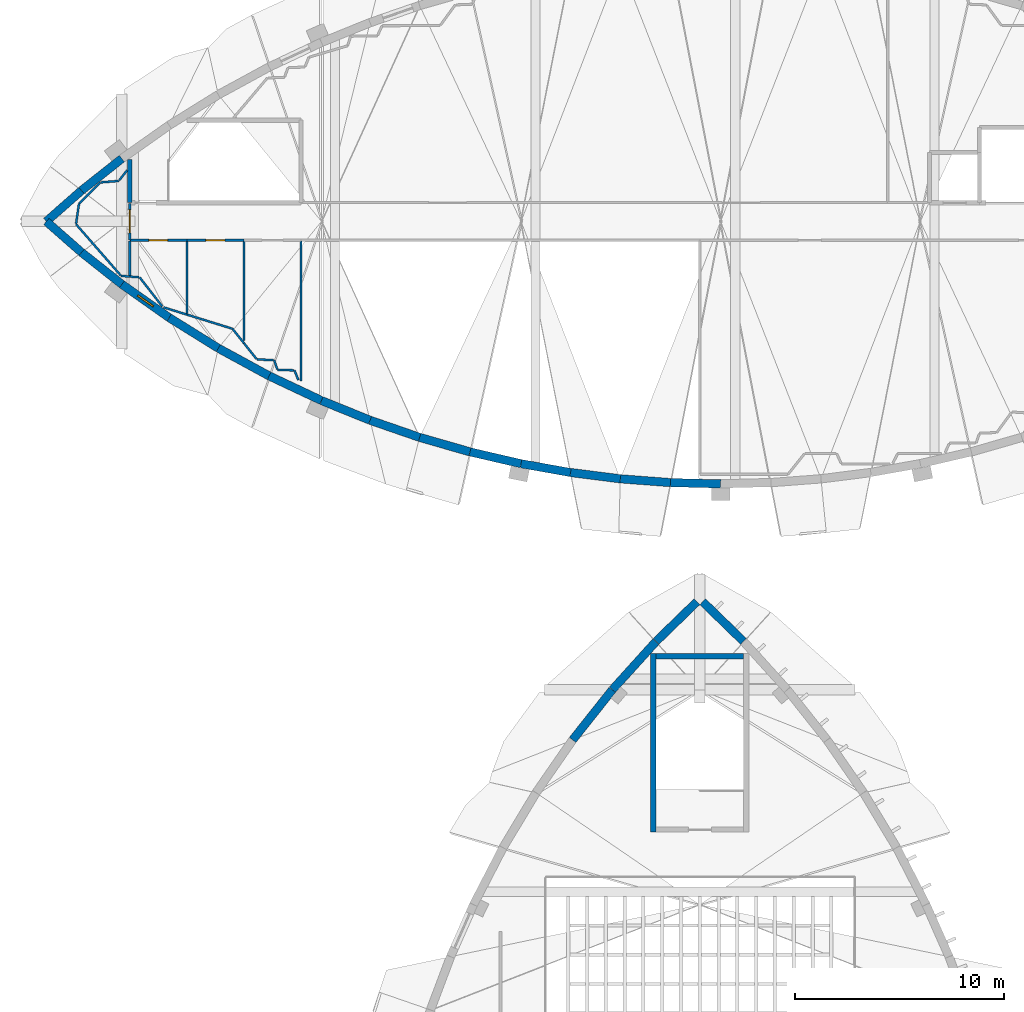
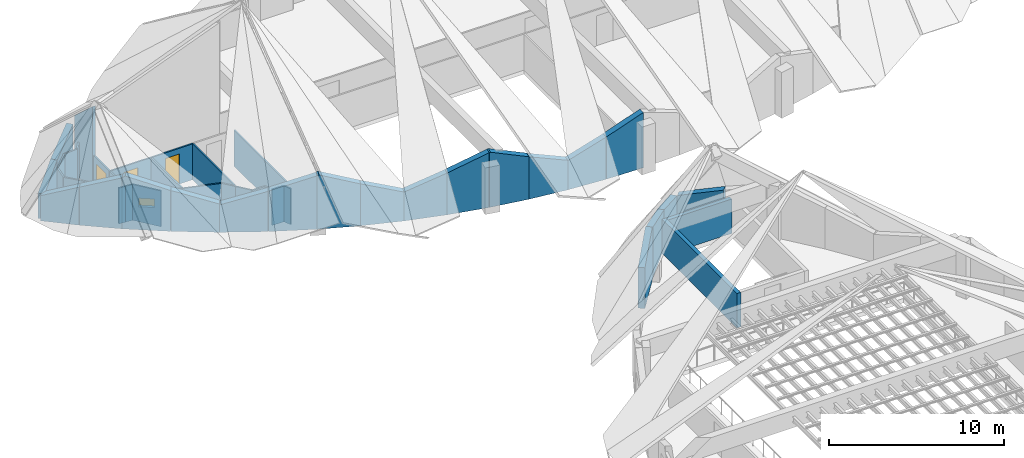
# One storey, part 38 of 56: 46 walls, 3 doors, 1 window, 4 openings.
"""IFC4 building model written with IfcOpenShell, lengths in metres."""

from ifc_helpers import new_model, si_unit, direction, frame, frame_2d, origin, place, context, subcontext, project, spatial, polyline, rectangle, outline, extrude, material, layer, layer_set, type_object, element, fill, save


model = new_model("IFC4")

# Units and contexts
model_context = context("Model", 3, precision=1e-05, world=origin(), true_north=direction((0.0, 1.0)))
body_context = subcontext(model_context, "Body", "Model", "MODEL_VIEW")
ifc_project = project(units=[si_unit("LENGTHUNIT", "METRE"), si_unit("AREAUNIT", "SQUARE_METRE"), si_unit("VOLUMEUNIT", "CUBIC_METRE"), si_unit("PLANEANGLEUNIT", "RADIAN"), si_unit("MASSUNIT", "GRAM", prefix="KILO")], contexts=[model_context])

# Site, building, storey
site_placement = place(None, origin())
site = spatial("IfcSite", under=ifc_project, at=site_placement, CompositionType="ELEMENT")
building_placement = place(site_placement, origin())
building = spatial("IfcBuilding", under=site, at=building_placement, Name="Tide Square Theatres", CompositionType="ELEMENT")
storey_placement = place(building_placement, frame((0.0, 0.0, 10.199951171875)))
storey = spatial("IfcBuildingStorey", under=building, at=storey_placement, Name="L02", CompositionType="ELEMENT", Elevation=10.199951171875)

# Walls
ifc_material_1 = material(Name="Gypsum board on steel studs", Category="steel")
ifc_layer_1 = layer(ifc_material_1, 0.10009765625)
ifc_layer_set_1 = layer_set([ifc_layer_1], Name="Gypsum board on steel studs")
wall_type_1 = type_object("IfcWallType", Name="Partition 100 thick", PredefinedType="PARTITIONING", material=ifc_layer_set_1)
wall_1_placement = place(storey_placement, frame((8.699951171875, 95.16015625, 0.0), z_axis=(0.0, 0.0, 1.0), x_axis=(-0.996882323864, 0.078902676549, 0.0)))
element("IfcWall", 1, at=wall_1_placement, inside=storey, type_object=wall_type_1, Name="Scenery Workshops partition", PredefinedType="PARTITIONING", context=body_context, shape_type="SweptSolid", body=[
    extrude(rectangle(XDim=0.41455078125, YDim=0.10009765625, at=frame_2d((0.207275390625, 0.0))), origin(), (0.0, 0.0, 1.0), 2.5),
])
wall_2_placement = place(storey_placement, frame((8.273681640625, 95.207763671875, 0.0), z_axis=(0.0, 0.0, 1.0), x_axis=(-0.658002077141, 0.753016113027, 0.0)))
element("IfcWall", 2, at=wall_2_placement, inside=storey, type_object=wall_type_1, Name="Scenery Workshops partition", PredefinedType="PARTITIONING", context=body_context, shape_type="SweptSolid", body=[
    extrude(rectangle(XDim=3.268310546875, YDim=0.10009765625, at=frame_2d((1.63427734375, 0.0))), origin(), (0.0, 0.0, 1.0), 2.5),
])
wall_3_placement = place(storey_placement, frame((6.1259765625, 97.688720703125, 0.0), z_axis=(0.0, 0.0, 1.0), x_axis=(0.146448518259, 0.989218293148, 0.0)))
element("IfcWall", 3, at=wall_3_placement, inside=storey, type_object=wall_type_1, Name="Scenery Workshops partition", PredefinedType="PARTITIONING", context=body_context, shape_type="SweptSolid", body=[
    extrude(rectangle(XDim=0.971923828125, YDim=0.10009765625, at=frame_2d((0.48583984375, 0.0))), origin(), (0.0, 0.0, 1.0), 2.5),
])
wall_4_placement = place(storey_placement, frame((6.275390625, 98.6572265625, 0.0), z_axis=(0.0, 0.0, 1.0), x_axis=(0.707106781187, 0.707106781187, 0.0)))
element("IfcWall", 4, at=wall_4_placement, inside=storey, type_object=wall_type_1, Name="Scenery Workshops partition", PredefinedType="PARTITIONING", context=body_context, shape_type="SweptSolid", body=[
    extrude(rectangle(XDim=1.43212890625, YDim=0.10009765625, at=frame_2d((0.716064453125, 0.0))), origin(), (0.0, 0.0, 1.0), 2.5),
])
wall_5_placement = place(storey_placement, frame((7.30810546875, 99.67138671875, 0.0), z_axis=(0.0, 0.0, 1.0), x_axis=(0.996862570919, 0.07915184584, 0.0)))
element("IfcWall", 5, at=wall_5_placement, inside=storey, type_object=wall_type_1, Name="Scenery Workshops partition", PredefinedType="PARTITIONING", context=body_context, shape_type="SweptSolid", body=[
    extrude(rectangle(XDim=0.86669921875, YDim=0.10009765625, at=frame_2d((0.433349609375, 0.0))), origin(), (0.0, 0.0, 1.0), 2.5),
])
wall_6_placement = place(storey_placement, frame((8.190673828125, 99.763671875, 0.0), z_axis=(0.0, 0.0, 1.0), x_axis=(0.61432197666, 0.789055453686, 0.0)))
element("IfcWall", 6, at=wall_6_placement, inside=storey, type_object=wall_type_1, Name="Scenery Workshops partition", PredefinedType="PARTITIONING", context=body_context, shape_type="SweptSolid", body=[
    extrude(rectangle(XDim=0.620361328125, YDim=0.10009765625, at=frame_2d((0.31005859375, 0.0))), origin(), (0.0, 0.0, 1.0), 2.5),
])
wall_7_placement = place(storey_placement, frame((8.699951171875, 95.2001953125, 0.0), z_axis=(0.0, 0.0, 1.0), x_axis=(0.0, 1.0, 0.0)))
element("IfcWall", 7, at=wall_7_placement, inside=storey, type_object=wall_type_1, Name="Scenery Workshops partition", PredefinedType="PARTITIONING", context=body_context, shape_type="SweptSolid", body=[
    extrude(rectangle(XDim=1.669921875, YDim=0.10009765625, at=frame_2d((0.8349609375, 0.0))), origin(), (0.0, 0.0, 1.0), 2.5),
])
wall_8_placement = place(storey_placement, frame((10.255126953125, 93.73193359375, 0.0), z_axis=(0.0, 0.0, 1.0), x_axis=(-0.614371992728, 0.78901651095, 0.0)))
element("IfcWall", 8, at=wall_8_placement, inside=storey, type_object=wall_type_1, Name="Scenery Workshops partition", PredefinedType="PARTITIONING", context=body_context, shape_type="SweptSolid", body=[
    extrude(rectangle(XDim=1.7626953125, YDim=0.10009765625, at=frame_2d((0.88134765625, 0.0))), origin(), (0.0, 0.0, 1.0), 2.5),
])
wall_9_placement = place(storey_placement, frame((9.142333984375, 95.125244140625, 0.0), z_axis=(0.0, 0.0, 1.0), x_axis=(-0.996900420086, 0.078673708649, 0.0)))
element("IfcWall", 9, at=wall_9_placement, inside=storey, type_object=wall_type_1, Name="Scenery Workshops partition", PredefinedType="PARTITIONING", context=body_context, shape_type="SweptSolid", body=[
    extrude(rectangle(XDim=0.44384765625, YDim=0.10009765625, at=frame_2d((0.221923828125, 0.0))), origin(), (0.0, 0.0, 1.0), 2.5),
])

# Wall, opening, door
wall_10_placement = place(storey_placement, frame((11.433349609375, 96.89990234375, 0.0), z_axis=(0.0, 0.0, 1.0), x_axis=(-1.0, 0.0, 0.0)))
wall_10 = element("IfcWall", 10, at=wall_10_placement, inside=storey, type_object=wall_type_1, Name="Scenery Workshops partition", PredefinedType="PARTITIONING", context=body_context, shape_type="SweptSolid", body=[
    extrude(rectangle(XDim=2.7333984375, YDim=0.10009765625, at=frame_2d((1.36669921875, 0.0))), origin(), (0.0, 0.0, 1.0), 2.5),
])
opening_1_placement = place(wall_10_placement, frame((0.916748046875, 0.0, 0.0)))
opening_1 = element("IfcOpeningElement", 11, at=opening_1_placement, cuts=wall_10, Name="Opening W2-01", PredefinedType="OPENING", context=body_context, shape_type="SweptSolid", body=[
    extrude(rectangle(XDim=0.89990234375, YDim=2.10009765625, at=frame_2d((0.449951171875, 1.050048828125))), frame((0.0, 0.06005859375, 0.0), z_axis=(0.0, -1.0, 0.0), x_axis=(1.0, 0.0, 0.0)), (0.0, 0.0, 1.0), 0.1201171875),
])
ifc_material_2 = material(Name="Hardwood timber", Category="wood")
door_type_1 = type_object("IfcDoorType", Name="Door 900 x 2100 single leaf", OperationType="NOTDEFINED", PredefinedType="DOOR", material=ifc_material_2)
door_1_placement = place(opening_1_placement, origin())
door_1 = element("IfcDoor", 12, at=door_1_placement, inside=storey, type_object=door_type_1, Name="Scenery Workshops door W2-01 to Gents WC W", OperationType="SINGLE_SWING_RIGHT", OverallHeight=2.10009765625, OverallWidth=0.89990234375, PredefinedType="DOOR", context=body_context, shape_type="SweptSolid", body=[
    extrude(rectangle(XDim=0.89990234375, YDim=2.10009765625, at=frame_2d((0.449951171875, 1.050048828125))), frame((0.0, 0.02490234375, 0.0), z_axis=(0.0, -1.0, 0.0), x_axis=(1.0, 0.0, 0.0)), (0.0, 0.0, 1.0), 0.050048828125),
])
fill(opening_1, door_1)

wall_11_placement = place(storey_placement, frame((8.699951171875, 96.89990234375, 0.0), z_axis=(0.0, 0.0, 1.0), x_axis=(0.0, 1.0, 0.0)))
wall_11 = element("IfcWall", 13, at=wall_11_placement, inside=storey, type_object=wall_type_1, Name="Scenery Workshops partition", PredefinedType="PARTITIONING", context=body_context, shape_type="SweptSolid", body=[
    extrude(rectangle(XDim=1.77001953125, YDim=0.10009765625, at=frame_2d((0.885009765625, 0.0))), origin(), (0.0, 0.0, 1.0), 2.5),
])
opening_2_placement = place(wall_11_placement, frame((0.35009765625, 0.0, 0.0)))
opening_2 = element("IfcOpeningElement", 14, at=opening_2_placement, cuts=wall_11, Name="Opening W2-07", PredefinedType="OPENING", context=body_context, shape_type="SweptSolid", body=[
    extrude(rectangle(XDim=1.10009765625, YDim=2.10009765625, at=frame_2d((0.550048828125, 1.050048828125))), frame((0.0, 0.06005859375, 0.0), z_axis=(0.0, -1.0, 0.0), x_axis=(1.0, 0.0, 0.0)), (0.0, 0.0, 1.0), 0.1201171875),
])
ifc_material_3 = material(Name="Painted steel", Category="steel")
door_type_2 = type_object("IfcDoorType", Name="Door 1100 x 2100 single leaf", OperationType="NOTDEFINED", PredefinedType="DOOR", material=ifc_material_3)
door_2_placement = place(opening_2_placement, origin())
door_2 = element("IfcDoor", 15, at=door_2_placement, inside=storey, type_object=door_type_2, Name="Scenery Workshops door W2-07 to Plant Room W", OperationType="SINGLE_SWING_RIGHT", OverallHeight=2.10009765625, OverallWidth=1.10009765625, PredefinedType="DOOR", context=body_context, shape_type="SweptSolid", body=[
    extrude(rectangle(XDim=1.10009765625, YDim=2.10009765625, at=frame_2d((0.550048828125, 1.050048828125))), frame((0.0, 0.02490234375, 0.0), z_axis=(0.0, -1.0, 0.0), x_axis=(1.0, 0.0, 0.0)), (0.0, 0.0, 1.0), 0.050048828125),
])
fill(opening_2, door_2)

# Walls
wall_12_placement = place(storey_placement, frame((11.433349609375, 93.33935546875, 0.0), z_axis=(0.0, 0.0, 1.0), x_axis=(-0.954967816351, 0.296709402839, 0.0)))
element("IfcWall", 16, at=wall_12_placement, inside=storey, type_object=wall_type_1, Name="Scenery Workshops partition", PredefinedType="PARTITIONING", context=body_context, shape_type="SweptSolid", body=[
    extrude(rectangle(XDim=1.16357421875, YDim=0.10009765625, at=frame_2d((0.581787109375, 0.0))), origin(), (0.0, 0.0, 1.0), 2.5),
])
wall_13_placement = place(storey_placement, frame((11.433349609375, 96.8701171875, 0.0), z_axis=(0.0, 0.0, 1.0), x_axis=(0.0, -1.0, 0.0)))
element("IfcWall", 17, at=wall_13_placement, inside=storey, type_object=wall_type_1, Name="Scenery Workshops partition", PredefinedType="PARTITIONING", context=body_context, shape_type="SweptSolid", body=[
    extrude(rectangle(XDim=3.480712890625, YDim=0.10009765625, at=frame_2d((1.740234375, 0.0))), origin(), (0.0, 0.0, 1.0), 2.5),
])
wall_14_placement = place(storey_placement, frame((14.166748046875, 91.971435546875, 0.0), z_axis=(0.0, 0.0, 1.0), x_axis=(-0.622427080418, 0.782677794218, 0.0)))
element("IfcWall", 18, at=wall_14_placement, inside=storey, type_object=wall_type_1, Name="Scenery Workshops partition", PredefinedType="PARTITIONING", context=body_context, shape_type="SweptSolid", body=[
    extrude(rectangle(XDim=0.880615234375, YDim=0.10009765625, at=frame_2d((0.4404296875, 0.0))), origin(), (0.0, 0.0, 1.0), 2.5),
])
wall_15_placement = place(storey_placement, frame((13.609130859375, 92.66357421875, 0.0), z_axis=(0.0, 0.0, 1.0), x_axis=(-0.954997167401, 0.296614919139, 0.0)))
element("IfcWall", 19, at=wall_15_placement, inside=storey, type_object=wall_type_1, Name="Scenery Workshops partition", PredefinedType="PARTITIONING", context=body_context, shape_type="SweptSolid", body=[
    extrude(rectangle(XDim=2.2783203125, YDim=0.10009765625, at=frame_2d((1.13916015625, 0.0))), origin(), (0.0, 0.0, 1.0), 2.5),
])

# Wall, opening, door
wall_16_placement = place(storey_placement, frame((14.166748046875, 96.89990234375, 0.0), z_axis=(0.0, 0.0, 1.0), x_axis=(-1.0, 0.0, 0.0)))
wall_16 = element("IfcWall", 20, at=wall_16_placement, inside=storey, type_object=wall_type_1, Name="Scenery Workshops partition", PredefinedType="PARTITIONING", context=body_context, shape_type="SweptSolid", body=[
    extrude(rectangle(XDim=2.7333984375, YDim=0.10009765625, at=frame_2d((1.36669921875, 0.0))), origin(), (0.0, 0.0, 1.0), 2.5),
])
opening_3_placement = place(wall_16_placement, frame((0.916748046875, 0.0, 0.0)))
opening_3 = element("IfcOpeningElement", 21, at=opening_3_placement, cuts=wall_16, Name="Opening W2-02", PredefinedType="OPENING", context=body_context, shape_type="SweptSolid", body=[
    extrude(rectangle(XDim=0.89990234375, YDim=2.10009765625, at=frame_2d((0.449951171875, 1.050048828125))), frame((0.0, 0.06005859375, 0.0), z_axis=(0.0, -1.0, 0.0), x_axis=(1.0, 0.0, 0.0)), (0.0, 0.0, 1.0), 0.1201171875),
])
door_3_placement = place(opening_3_placement, origin())
door_3 = element("IfcDoor", 22, at=door_3_placement, inside=storey, type_object=door_type_1, Name="Scenery Workshops door W2-02 to Ladies WC W", OperationType="SINGLE_SWING_RIGHT", OverallHeight=2.10009765625, OverallWidth=0.89990234375, PredefinedType="DOOR", context=body_context, shape_type="SweptSolid", body=[
    extrude(rectangle(XDim=0.89990234375, YDim=2.10009765625, at=frame_2d((0.449951171875, 1.050048828125))), frame((0.0, 0.02490234375, 0.0), z_axis=(0.0, -1.0, 0.0), x_axis=(1.0, 0.0, 0.0)), (0.0, 0.0, 1.0), 0.050048828125),
])
fill(opening_3, door_3)

# Walls
wall_17_placement = place(storey_placement, frame((14.166748046875, 96.860107421875, 0.0), z_axis=(0.0, 0.0, 1.0), x_axis=(0.0, -1.0, 0.0)))
element("IfcWall", 23, at=wall_17_placement, inside=storey, type_object=wall_type_1, Name="Scenery Workshops partition", PredefinedType="PARTITIONING", context=body_context, shape_type="SweptSolid", body=[
    extrude(rectangle(XDim=4.768798828125, YDim=0.10009765625, at=frame_2d((2.38427734375, 0.0))), origin(), (0.0, 0.0, 1.0), 2.5),
])
wall_18_placement = place(storey_placement, frame((16.776123046875, 90.198486328125, 0.0), z_axis=(0.0, 0.0, 1.0), x_axis=(-0.372303942527, 0.928110863194, 0.0)))
element("IfcWall", 24, at=wall_18_placement, inside=storey, type_object=wall_type_1, Name="Scenery Workshops partition", PredefinedType="PARTITIONING", context=body_context, shape_type="SweptSolid", body=[
    extrude(rectangle(XDim=0.5068359375, YDim=0.10009765625, at=frame_2d((0.25341796875, 0.0))), origin(), (0.0, 0.0, 1.0), 2.5),
])
wall_19_placement = place(storey_placement, frame((16.5576171875, 90.669677734375, 0.0), z_axis=(0.0, 0.0, 1.0), x_axis=(-0.999585681844, 0.028783061887, 0.0)))
element("IfcWall", 25, at=wall_19_placement, inside=storey, type_object=wall_type_1, Name="Scenery Workshops partition", PredefinedType="PARTITIONING", context=body_context, shape_type="SweptSolid", body=[
    extrude(rectangle(XDim=0.7802734375, YDim=0.10009765625, at=frame_2d((0.39013671875, 0.0))), origin(), (0.0, 0.0, 1.0), 2.5),
])
wall_20_placement = place(storey_placement, frame((15.767578125, 90.720458984375, 0.0), z_axis=(0.0, 0.0, 1.0), x_axis=(-0.333289761889, 0.942824445281, 0.0)))
element("IfcWall", 26, at=wall_20_placement, inside=storey, type_object=wall_type_1, Name="Scenery Workshops partition", PredefinedType="PARTITIONING", context=body_context, shape_type="SweptSolid", body=[
    extrude(rectangle(XDim=0.462158203125, YDim=0.10009765625, at=frame_2d((0.23095703125, 0.0))), origin(), (0.0, 0.0, 1.0), 2.5),
])
wall_21_placement = place(storey_placement, frame((15.583740234375, 91.15771484375, 0.0), z_axis=(0.0, 0.0, 1.0), x_axis=(-0.999069955429, 0.043118721676, 0.0)))
element("IfcWall", 27, at=wall_21_placement, inside=storey, type_object=wall_type_1, Name="Scenery Workshops partition", PredefinedType="PARTITIONING", context=body_context, shape_type="SweptSolid", body=[
    extrude(rectangle(XDim=0.79833984375, YDim=0.10009765625, at=frame_2d((0.399169921875, 0.0))), origin(), (0.0, 0.0, 1.0), 2.5),
])
wall_22_placement = place(storey_placement, frame((14.773681640625, 91.207763671875, 0.0), z_axis=(0.0, 0.0, 1.0), x_axis=(-0.62218906709, 0.782867016033, 0.0)))
element("IfcWall", 28, at=wall_22_placement, inside=storey, type_object=wall_type_1, Name="Scenery Workshops partition", PredefinedType="PARTITIONING", context=body_context, shape_type="SweptSolid", body=[
    extrude(rectangle(XDim=0.9755859375, YDim=0.10009765625, at=frame_2d((0.48779296875, 0.0))), origin(), (0.0, 0.0, 1.0), 2.5),
])
wall_23_placement = place(storey_placement, frame((16.89990234375, 96.8701171875, 0.0), z_axis=(0.0, 0.0, 1.0), x_axis=(0.0, -1.0, 0.0)))
element("IfcWall", 29, at=wall_23_placement, inside=storey, type_object=wall_type_1, Name="Scenery Workshops partition", PredefinedType="PARTITIONING", context=body_context, shape_type="SweptSolid", body=[
    extrude(rectangle(XDim=6.708251953125, YDim=0.10009765625, at=frame_2d((3.35400390625, 0.0))), origin(), (0.0, 0.0, 1.0), 2.5),
])
ifc_material_4 = material(Name="Concrete C40", Category="concrete")
ifc_layer_2 = layer(ifc_material_4, 0.39990234375)
ifc_layer_set_2 = layer_set([ifc_layer_2], Name="Concrete C40")
wall_type_2 = type_object("IfcWallType", Name="RC curved wall 400 thick", PredefinedType="SOLIDWALL", material=ifc_layer_set_2)
wall_24_placement = place(storey_placement, frame((38.094482421875, 77.686279296875, 0.0), z_axis=(0.0, 0.0, 1.0), x_axis=(-0.717243568607, 0.696822547922, 0.0)))
element("IfcWall", 30, at=wall_24_placement, inside=storey, type_object=wall_type_2, Name="Studio Theatre perimeter wall", PredefinedType="SOLIDWALL", context=body_context, shape_type="SweptSolid", body=[
    extrude(outline(polyline([(0.0, 0.0), (2.725830078125, 0.0), (2.725830078125, 1.802734375), (2.59521484375, 1.843017578125), (0.0, 2.64306640625), (0.0, 0.0)])), frame((0.0, 0.199951171875, 0.0), z_axis=(0.0, -1.0, 0.0), x_axis=(1.0, 0.0, 0.0)), (0.0, 0.0, 1.0), 0.39990234375),
])
wall_25_placement = place(storey_placement, frame((35.860595703125, 79.585693359375, 0.0), z_axis=(0.0, 0.0, 1.0), x_axis=(-0.717243568607, -0.696822547922, 0.0)))
element("IfcWall", 31, at=wall_25_placement, inside=storey, type_object=wall_type_2, Name="Studio Theatre perimeter wall", PredefinedType="SOLIDWALL", context=body_context, shape_type="SweptSolid", body=[
    extrude(outline(polyline([(0.0, 0.0), (2.725830078125, 0.0), (2.725830078125, 2.64111328125), (0.130615234375, 1.843017578125), (0.0, 1.802734375), (0.0, 0.0)])), frame((0.0, 0.199951171875, 0.0), z_axis=(0.0, -1.0, 0.0), x_axis=(1.0, 0.0, 0.0)), (0.0, 0.0, 1.0), 0.39990234375),
])
wall_26_placement = place(storey_placement, frame((33.896484375, 77.677001953125, 0.0), z_axis=(0.0, 0.0, 1.0), x_axis=(-0.67038553216, -0.742012963681, 0.0)))
element("IfcWall", 32, at=wall_26_placement, inside=storey, type_object=wall_type_2, Name="Studio Theatre perimeter wall", PredefinedType="SOLIDWALL", context=body_context, shape_type="SweptSolid", body=[
    extrude(outline(polyline([(0.0, 0.0), (3.101806640625, 0.0), (3.1015625, 3.546142578125), (2.919677734375, 3.49365234375), (2.739013671875, 3.44140625), (0.0, 2.64990234375), (0.0, 0.0)])), frame((0.0, 0.199951171875, 0.0), z_axis=(0.0, -1.0, 0.0), x_axis=(1.0, 0.0, 0.0)), (0.0, 0.0, 1.0), 0.39990234375),
])
wall_27_placement = place(storey_placement, frame((31.808837890625, 75.36572265625, 0.0), z_axis=(0.0, 0.0, 1.0), x_axis=(-0.620958553355, -0.783843399548, 0.0)))
element("IfcWall", 33, at=wall_27_placement, inside=storey, type_object=wall_type_2, Name="Studio Theatre perimeter wall", PredefinedType="SOLIDWALL", context=body_context, shape_type="SweptSolid", body=[
    extrude(outline(polyline([(0.0, 0.0), (3.0576171875, 0.0), (3.0576171875, 2.844482421875), (2.718505859375, 2.94384765625), (0.330322265625, 3.643798828125), (0.171875, 3.690185546875), (0.0, 3.557373046875), (0.0, 0.0)])), frame((0.0, 0.199951171875, 0.0), z_axis=(0.0, -1.0, 0.0), x_axis=(1.0, 0.0, 0.0)), (0.0, 0.0, 1.0), 0.39990234375),
])
wall_28_placement = place(storey_placement, frame((4.703125, 97.800048828125, 0.0), z_axis=(0.0, 0.0, 1.0), x_axis=(0.751212351098, -0.660060605973, 0.0)))
element("IfcWall", 34, at=wall_28_placement, inside=storey, type_object=wall_type_2, Name="Scenery Workshops perimeter wall 000", PredefinedType="SOLIDWALL", context=body_context, shape_type="SweptSolid", body=[
    extrude(outline(polyline([(0.0, 0.0), (2.24169921875, 0.0), (2.241943359375, 2.647216796875), (2.2021484375, 2.635009765625), (0.372314453125, 1.900634765625), (0.144775390625, 1.80908203125), (0.0830078125, 1.7841796875), (0.0, 1.7509765625), (0.0, 0.0)])), frame((0.0, 0.199951171875, 0.0), z_axis=(0.0, -1.0, 0.0), x_axis=(1.0, 0.0, 0.0)), (0.0, 0.0, 1.0), 0.39990234375),
])
wall_29_placement = place(storey_placement, frame((6.38720703125, 96.3203125, 0.0), z_axis=(0.0, 0.0, 1.0), x_axis=(0.784278812541, -0.620408530082, 0.0)))
element("IfcWall", 35, at=wall_29_placement, inside=storey, type_object=wall_type_2, Name="Scenery Workshops perimeter wall 001", PredefinedType="SOLIDWALL", context=body_context, shape_type="SweptSolid", body=[
    extrude(outline(polyline([(0.0, 0.0), (2.464111328125, 0.0), (2.464111328125, 3.550537109375), (2.44580078125, 3.5439453125), (2.28759765625, 3.486083984375), (2.12939453125, 3.428466796875), (0.05078125, 2.669189453125), (0.0, 2.650634765625), (0.0, 0.0)])), frame((0.0, 0.199951171875, 0.0), z_axis=(0.0, -1.0, 0.0), x_axis=(1.0, 0.0, 0.0)), (0.0, 0.0, 1.0), 0.39990234375),
])

# Wall, opening, window
wall_30_placement = place(storey_placement, frame((8.31982421875, 94.79150390625, 0.0), z_axis=(0.0, 0.0, 1.0), x_axis=(0.817028877428, -0.576596751161, 0.0)))
wall_30 = element("IfcWall", 36, at=wall_30_placement, inside=storey, type_object=wall_type_2, Name="Scenery Workshops perimeter wall 002", PredefinedType="SOLIDWALL", context=body_context, shape_type="SweptSolid", body=[
    extrude(outline(polyline([(0.0, 0.0), (2.772216796875, 0.0), (2.772216796875, 2.848388671875), (2.405517578125, 2.967529296875), (0.310546875, 3.6474609375), (0.16943359375, 3.693359375), (0.0, 3.554931640625), (0.0, 0.0)])), frame((0.0, 0.199951171875, 0.0), z_axis=(0.0, -1.0, 0.0), x_axis=(1.0, 0.0, 0.0)), (0.0, 0.0, 1.0), 0.39990234375),
])
opening_4_placement = place(wall_30_placement, frame((0.93603515625, 0.0, 1.60009765625)))
opening_4 = element("IfcOpeningElement", 37, at=opening_4_placement, cuts=wall_30, Name="Opening WN-12", PredefinedType="OPENING", context=body_context, shape_type="SweptSolid", body=[
    extrude(rectangle(XDim=0.89990234375, YDim=0.60009765625, at=frame_2d((0.449951171875, 0.300048828125))), frame((0.0, 0.2099609375, 0.0), z_axis=(0.0, -1.0, 0.0), x_axis=(1.0, 0.0, 0.0)), (0.0, 0.0, 1.0), 0.419921875),
])
ifc_material_5 = material(Name="Aluminium with laminated glass", Category="aluminium")
window_type = type_object("IfcWindowType", Name="Window 900 x 600", PartitioningType="SINGLE_PANEL", PredefinedType="WINDOW", material=ifc_material_5)
window_placement = place(opening_4_placement, origin())
window = element("IfcWindow", 38, at=window_placement, inside=storey, type_object=window_type, Name="Scenery Workshops window L02-92", OverallHeight=0.60009765625, OverallWidth=0.89990234375, PartitioningType="SINGLE_PANEL", PredefinedType="WINDOW", context=body_context, shape_type="SweptSolid", body=[
    extrude(rectangle(XDim=0.89990234375, YDim=0.60009765625, at=frame_2d((0.449951171875, 0.300048828125))), frame((0.0, 0.030029296875, 0.0), z_axis=(0.0, -1.0, 0.0), x_axis=(1.0, 0.0, 0.0)), (0.0, 0.0, 1.0), 0.06005859375),
])
fill(opening_4, window)

# Walls
wall_31_placement = place(storey_placement, frame((10.584716796875, 93.193115234375, 0.0), z_axis=(0.0, 0.0, 1.0), x_axis=(0.84912946359, -0.528184772653, 0.0)))
element("IfcWall", 39, at=wall_31_placement, inside=storey, type_object=wall_type_2, Name="Scenery Workshops perimeter wall 003", PredefinedType="SOLIDWALL", context=body_context, shape_type="SweptSolid", body=[
    extrude(outline(polyline([(0.0, 0.0), (2.77197265625, 0.0), (2.771728515625, 1.969970703125), (2.24658203125, 2.140380859375), (0.32080078125, 2.75732421875), (0.0, 2.844970703125), (0.0, 0.0)])), frame((0.0, 0.199951171875, 0.0), z_axis=(0.0, -1.0, 0.0), x_axis=(1.0, 0.0, 0.0)), (0.0, 0.0, 1.0), 0.39990234375),
])
wall_32_placement = place(storey_placement, frame((12.9384765625, 91.72900390625, 0.0), z_axis=(0.0, 0.0, 1.0), x_axis=(0.878292493566, -0.478123724308, 0.0)))
element("IfcWall", 40, at=wall_32_placement, inside=storey, type_object=wall_type_2, Name="Scenery Workshops perimeter wall 004", PredefinedType="SOLIDWALL", context=body_context, shape_type="SweptSolid", body=[
    extrude(outline(polyline([(0.0, 0.0), (2.771728515625, 0.0), (2.771728515625, 2.80712890625), (2.737060546875, 2.795654296875), (0.057373046875, 1.925537109375), (0.0, 1.96630859375), (0.0, 0.0)])), frame((0.0, 0.199951171875, 0.0), z_axis=(0.0, -1.0, 0.0), x_axis=(1.0, 0.0, 0.0)), (0.0, 0.0, 1.0), 0.39990234375),
])
wall_33_placement = place(storey_placement, frame((15.372802734375, 90.40380859375, 0.0), z_axis=(0.0, 0.0, 1.0), x_axis=(0.904527098751, -0.42641614372, 0.0)))
element("IfcWall", 41, at=wall_33_placement, inside=storey, type_object=wall_type_2, Name="Scenery Workshops perimeter wall 005", PredefinedType="SOLIDWALL", context=body_context, shape_type="SweptSolid", body=[
    extrude(outline(polyline([(0.0, 0.0), (2.772216796875, 0.0), (2.772216796875, 3.716064453125), (2.75146484375, 3.70947265625), (2.656982421875, 3.678955078125), (2.56298828125, 3.648193359375), (0.0, 2.81103515625), (0.0, 0.0)])), frame((0.0, 0.199951171875, 0.0), z_axis=(0.0, -1.0, 0.0), x_axis=(1.0, 0.0, 0.0)), (0.0, 0.0, 1.0), 0.39990234375),
])
wall_34_placement = place(storey_placement, frame((17.88037109375, 89.2216796875, 0.0), z_axis=(0.0, 0.0, 1.0), x_axis=(0.926722795862, -0.375745738007, 0.0)))
element("IfcWall", 42, at=wall_34_placement, inside=storey, type_object=wall_type_2, Name="Scenery Workshops perimeter wall 006", PredefinedType="SOLIDWALL", context=body_context, shape_type="SweptSolid", body=[
    extrude(outline(polyline([(0.0, 0.0), (2.5107421875, 0.0), (2.5107421875, 2.9169921875), (2.36669921875, 2.96875), (0.193359375, 3.747802734375), (0.1123046875, 3.77685546875), (0.0, 3.719970703125), (0.0, 0.0)])), frame((0.0, 0.199951171875, 0.0), z_axis=(0.0, -1.0, 0.0), x_axis=(1.0, 0.0, 0.0)), (0.0, 0.0, 1.0), 0.39990234375),
])
wall_35_placement = place(storey_placement, frame((20.20703125, 88.2783203125, 0.0), z_axis=(0.0, 0.0, 1.0), x_axis=(0.94514546406, -0.326649738659, 0.0)))
element("IfcWall", 43, at=wall_35_placement, inside=storey, type_object=wall_type_2, Name="Scenery Workshops perimeter wall 007", PredefinedType="SOLIDWALL", context=body_context, shape_type="SweptSolid", body=[
    extrude(outline(polyline([(0.0, 0.0), (2.51123046875, 0.0), (2.510986328125, 2.0185546875), (2.3212890625, 2.08642578125), (0.12890625, 2.872314453125), (0.0, 2.913330078125), (0.0, 0.0)])), frame((0.0, 0.199951171875, 0.0), z_axis=(0.0, -1.0, 0.0), x_axis=(1.0, 0.0, 0.0)), (0.0, 0.0, 1.0), 0.39990234375),
])
wall_36_placement = place(storey_placement, frame((22.58056640625, 87.4580078125, 0.0), z_axis=(0.0, 0.0, 1.0), x_axis=(0.961008605775, -0.276518461637, 0.0)))
element("IfcWall", 44, at=wall_36_placement, inside=storey, type_object=wall_type_2, Name="Scenery Workshops perimeter wall 008", PredefinedType="SOLIDWALL", context=body_context, shape_type="SweptSolid", body=[
    extrude(outline(polyline([(0.0, 0.0), (2.510986328125, 0.0), (2.510986328125, 2.906494140625), (2.498779296875, 2.902099609375), (0.0, 2.014892578125), (0.0, 0.0)])), frame((0.0, 0.199951171875, 0.0), z_axis=(0.0, -1.0, 0.0), x_axis=(1.0, 0.0, 0.0)), (0.0, 0.0, 1.0), 0.39990234375),
])
wall_37_placement = place(storey_placement, frame((24.99365234375, 86.763671875, 0.0), z_axis=(0.0, 0.0, 1.0), x_axis=(0.974210649093, -0.225640446716, 0.0)))
element("IfcWall", 45, at=wall_37_placement, inside=storey, type_object=wall_type_2, Name="Scenery Workshops perimeter wall 009", PredefinedType="SOLIDWALL", context=body_context, shape_type="SweptSolid", body=[
    extrude(outline(polyline([(0.0, 0.0), (2.51123046875, 0.0), (2.51123046875, 3.812744140625), (2.4716796875, 3.798583984375), (2.37890625, 3.765380859375), (0.0, 2.910400390625), (0.0, 0.0)])), frame((0.0, 0.199951171875, 0.0), z_axis=(0.0, -1.0, 0.0), x_axis=(1.0, 0.0, 0.0)), (0.0, 0.0, 1.0), 0.39990234375),
])
wall_38_placement = place(storey_placement, frame((27.440185546875, 86.197021484375, 0.0), z_axis=(0.0, 0.0, 1.0), x_axis=(0.984524011381, -0.175249738987, 0.0)))
element("IfcWall", 46, at=wall_38_placement, inside=storey, type_object=wall_type_2, Name="Scenery Workshops perimeter wall 010", PredefinedType="SOLIDWALL", context=body_context, shape_type="SweptSolid", body=[
    extrude(outline(polyline([(0.0, 0.0), (2.406005859375, 0.0), (2.406005859375, 2.958251953125), (2.328125, 2.9873046875), (0.0849609375, 3.826416015625), (0.0, 3.816650390625), (0.0, 0.0)])), frame((0.0, 0.199951171875, 0.0), z_axis=(0.0, -1.0, 0.0), x_axis=(1.0, 0.0, 0.0)), (0.0, 0.0, 1.0), 0.39990234375),
])
wall_39_placement = place(storey_placement, frame((29.808837890625, 85.775390625, 0.0), z_axis=(0.0, 0.0, 1.0), x_axis=(0.99208939311, -0.125533406227, 0.0)))
element("IfcWall", 47, at=wall_39_placement, inside=storey, type_object=wall_type_2, Name="Scenery Workshops perimeter wall 011", PredefinedType="SOLIDWALL", context=body_context, shape_type="SweptSolid", body=[
    extrude(outline(polyline([(0.0, 0.0), (2.40576171875, 0.0), (2.406005859375, 2.0556640625), (2.298095703125, 2.095947265625), (0.06640625, 2.9306640625), (0.0, 2.95458984375), (0.0, 0.0)])), frame((0.0, 0.199951171875, 0.0), z_axis=(0.0, -1.0, 0.0), x_axis=(1.0, 0.0, 0.0)), (0.0, 0.0, 1.0), 0.39990234375),
])
wall_40_placement = place(storey_placement, frame((32.195556640625, 85.473388671875, 0.0), z_axis=(0.0, 0.0, 1.0), x_axis=(0.997146276918, -0.075493724435, 0.0)))
element("IfcWall", 48, at=wall_40_placement, inside=storey, type_object=wall_type_2, Name="Scenery Workshops perimeter wall 012", PredefinedType="SOLIDWALL", context=body_context, shape_type="SweptSolid", body=[
    extrude(outline(polyline([(0.0, 0.0), (2.406005859375, 0.0), (2.406005859375, 2.94140625), (2.383056640625, 2.933349609375), (0.06103515625, 2.0634765625), (0.0, 2.052001953125), (0.0, 0.0)])), frame((0.0, 0.199951171875, 0.0), z_axis=(0.0, -1.0, 0.0), x_axis=(1.0, 0.0, 0.0)), (0.0, 0.0, 1.0), 0.39990234375),
])
wall_41_placement = place(storey_placement, frame((34.5947265625, 85.291748046875, 0.0), z_axis=(0.0, 0.0, 1.0), x_axis=(0.999683321759, -0.025164582196, 0.0)))
element("IfcWall", 49, at=wall_41_placement, inside=storey, type_object=wall_type_2, Name="Scenery Workshops perimeter wall 013", PredefinedType="SOLIDWALL", context=body_context, shape_type="SweptSolid", body=[
    extrude(outline(polyline([(0.0, 0.0), (2.406005859375, 0.0), (2.406005859375, 3.844970703125), (2.33349609375, 3.81787109375), (0.0, 2.945068359375), (0.0, 0.0)])), frame((0.0, 0.199951171875, 0.0), z_axis=(0.0, -1.0, 0.0), x_axis=(1.0, 0.0, 0.0)), (0.0, 0.0, 1.0), 0.39990234375),
])
wall_42_placement = place(storey_placement, frame((8.31982421875, 100.80859375, 0.0), z_axis=(0.0, 0.0, 1.0), x_axis=(-0.784278812541, -0.620408530082, 0.0)))
element("IfcWall", 50, at=wall_42_placement, inside=storey, type_object=wall_type_2, Name="Scenery Workshops perimeter wall 054", PredefinedType="SOLIDWALL", context=body_context, shape_type="SweptSolid", body=[
    extrude(outline(polyline([(0.0, 0.0), (2.464111328125, 0.0), (2.464111328125, 2.650634765625), (2.41357421875, 2.669189453125), (0.334716796875, 3.428466796875), (0.176513671875, 3.486083984375), (0.0, 3.550537109375), (0.0, 0.0)])), frame((0.0, 0.199951171875, 0.0), z_axis=(0.0, -1.0, 0.0), x_axis=(1.0, 0.0, 0.0)), (0.0, 0.0, 1.0), 0.39990234375),
])
wall_43_placement = place(storey_placement, frame((6.38720703125, 99.27978515625, 0.0), z_axis=(0.0, 0.0, 1.0), x_axis=(-0.751212351098, -0.660060605973, 0.0)))
element("IfcWall", 51, at=wall_43_placement, inside=storey, type_object=wall_type_2, Name="Scenery Workshops perimeter wall 055", PredefinedType="SOLIDWALL", context=body_context, shape_type="SweptSolid", body=[
    extrude(outline(polyline([(0.0, 0.0), (2.24169921875, 0.0), (2.241943359375, 1.7509765625), (2.158935546875, 1.784423828125), (2.09716796875, 1.80908203125), (1.869384765625, 1.900634765625), (0.0, 2.647216796875), (0.0, 0.0)])), frame((0.0, 0.199951171875, 0.0), z_axis=(0.0, -1.0, 0.0), x_axis=(1.0, 0.0, 0.0)), (0.0, 0.0, 1.0), 0.39990234375),
])
ifc_material_6 = material(Name="Concrete C40", Category="concrete")
ifc_layer_3 = layer(ifc_material_6, 0.199951171875)
ifc_layer_set_3 = layer_set([ifc_layer_3], Name="Concrete C40")
wall_type_3 = type_object("IfcWallType", Name="RC shear wall 200 thick", PredefinedType="SHEAR", material=ifc_layer_set_3)
wall_44_placement = place(storey_placement, frame((8.699951171875, 98.699951171875, 0.0), z_axis=(0.0, 0.0, 1.0), x_axis=(0.0, 1.0, 0.0)))
element("IfcWall", 52, at=wall_44_placement, inside=storey, type_object=wall_type_3, Name="Scenery Workshops stair enclosure wall", PredefinedType="SHEAR", context=body_context, shape_type="SweptSolid", body=[
    extrude(outline(polyline([(0.0, 0.0), (2.07080078125, 0.0), (2.07080078125, 4.028076171875), (0.07666015625, 5.84228515625), (0.0, 5.912109375), (0.0, 0.0)])), frame((0.0, 0.10009765625, 0.0), z_axis=(0.0, -1.0, 0.0), x_axis=(1.0, 0.0, 0.0)), (0.0, 0.0, 1.0), 0.199951171875),
])
ifc_material_7 = material(Name="Concrete C40", Category="concrete")
ifc_layer_4 = layer(ifc_material_7, 0.25)
ifc_layer_set_4 = layer_set([ifc_layer_4], Name="Concrete C40")
wall_type_4 = type_object("IfcWallType", Name="RC shear wall 250 thick", PredefinedType="SHEAR", material=ifc_layer_set_4)
wall_45_placement = place(storey_placement, frame((33.77490234375, 77.10009765625, 0.0), z_axis=(0.0, 0.0, 1.0), x_axis=(0.0, -1.0, 0.0)))
element("IfcWall", 53, at=wall_45_placement, inside=storey, type_object=wall_type_4, Name="Studio Theatre Stair S1 shaft wall", PredefinedType="SHEAR", context=body_context, shape_type="SweptSolid", body=[
    extrude(rectangle(XDim=8.550048828125, YDim=0.25, at=frame_2d((4.27490234375, 0.0))), origin(), (0.0, 0.0, 1.0), 2.400146484375),
])
wall_46_placement = place(storey_placement, frame((33.89990234375, 76.97509765625, 0.0), z_axis=(0.0, 0.0, 1.0), x_axis=(1.0, 0.0, 0.0)))
element("IfcWall", 54, at=wall_46_placement, inside=storey, type_object=wall_type_4, Name="Studio Theatre Stair S1 shaft wall", PredefinedType="SHEAR", context=body_context, shape_type="SweptSolid", body=[
    extrude(rectangle(XDim=4.2001953125, YDim=0.25, at=frame_2d((2.10009765625, 0.0))), origin(), (0.0, 0.0, 1.0), 2.400146484375),
])

save(model, "model.ifc")
